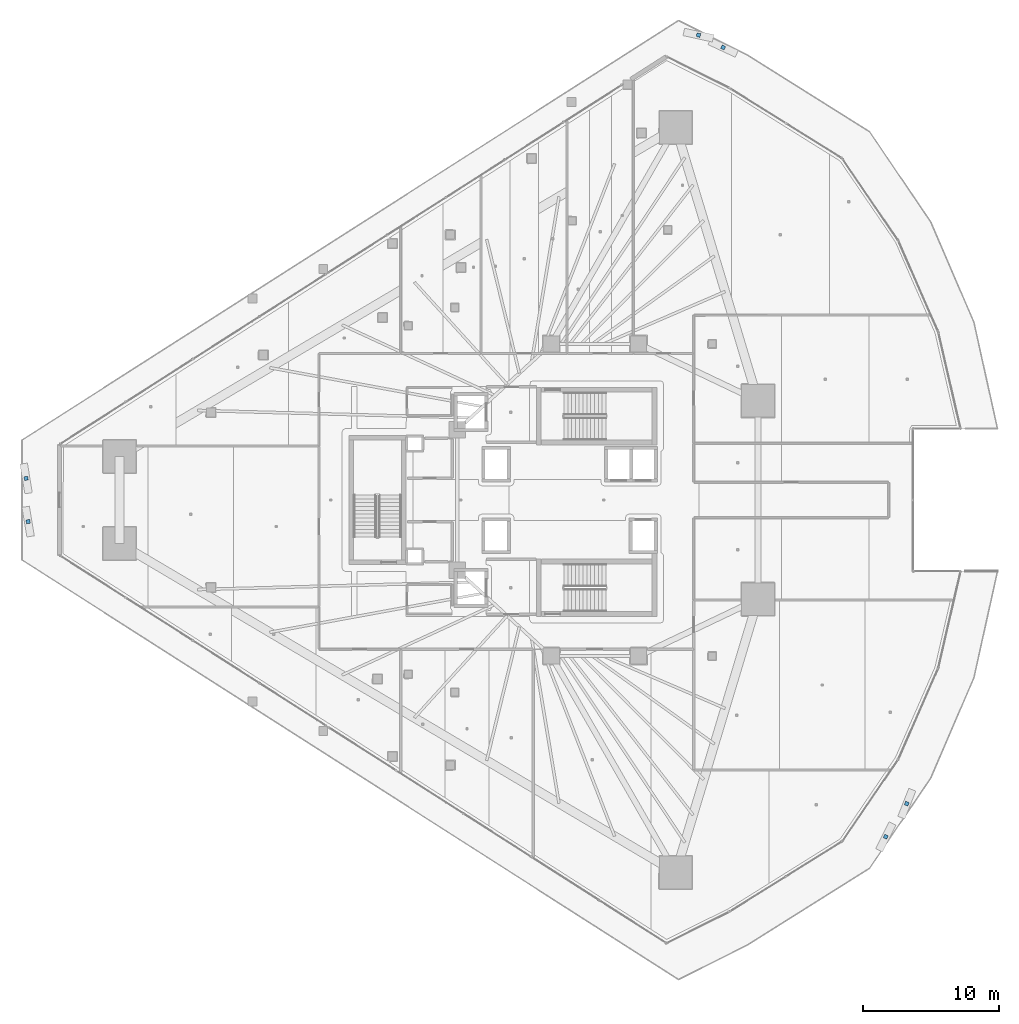
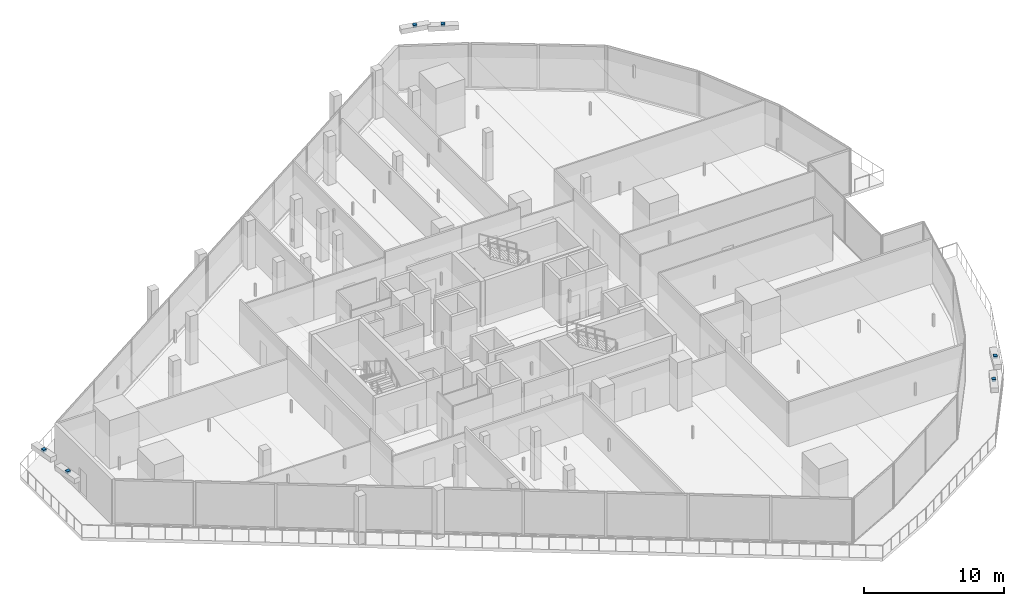
# One storey, part 36 of 45: 6 discrete accessories.
"""IFC4 building model written with IfcOpenShell, lengths in metres."""

from ifc_helpers import new_model, si_unit, direction, frame, origin, origin_2d, place, context, subcontext, project, spatial, rectangle, extrude, material, type_object, element, save


model = new_model("IFC4")

# Units and contexts
model_context = context("Model", 3, precision=1e-05, world=origin(), true_north=direction((0.0, 1.0)))
body_context = subcontext(model_context, "Body", "Model", "MODEL_VIEW")
ifc_project = project(units=[si_unit("LENGTHUNIT", "METRE"), si_unit("AREAUNIT", "SQUARE_METRE"), si_unit("VOLUMEUNIT", "CUBIC_METRE"), si_unit("PLANEANGLEUNIT", "RADIAN"), si_unit("MASSUNIT", "GRAM", prefix="KILO")], contexts=[model_context])

# Site, building, storey
site_placement = place(None, origin())
site = spatial("IfcSite", under=ifc_project, at=site_placement, CompositionType="ELEMENT")
building_placement = place(site_placement, origin())
building = spatial("IfcBuilding", under=site, at=building_placement, Name="Qorvath Tower", CompositionType="ELEMENT")
storey_placement = place(building_placement, frame((0.0, 0.0, 66.0)))
storey = spatial("IfcBuildingStorey", under=building, at=storey_placement, Name="L14", CompositionType="ELEMENT", Elevation=66.0)

# Discrete accessories
ifc_material = material(Name="Galvanised steel bracket", Category="steel")
discrete_accessory_type = type_object("IfcDiscreteAccessoryType", Name="DA-BRACKET", PredefinedType="BRACKET", material=ifc_material)
for number, where, z_axis, x_axis, name in (
    (1, (-62.140625, 1.584228515625, 3.77978515625), (0.0, 0.0, 1.0), (0.162332347183, -0.986736139532, 0.0), "Louvre Wave Support Bracket L14-01"),
    (2, (-61.992919921875, -1.584228515625, 3.77978515625), (0.0, 0.0, 1.0), (0.16624041027, -0.986085252903, 0.0), "Louvre Wave Support Bracket L14-02"),
    (3, (0.945556640625, -24.7216796875, 3.77978515625), (0.0, 0.0, 1.0), (0.446777204878, 0.894645253271, 0.0), "Louvre Wave Support Bracket L14-03"),
    (4, (2.487060546875, -22.28515625, 3.77978515625), (0.0, 0.0, 1.0), (0.366925022668, 0.930250518807, 0.0), "Louvre Wave Support Bracket L14-04"),
    (5, (-10.989013671875, 33.207275390625, 3.77978515625), (0.0, 0.0, 1.0), (-0.906012522993, 0.423250880897, 0.0), "Louvre Wave Support Bracket L14-05"),
    (6, (-12.79931640625, 34.112548828125, 3.77978515625), (0.0, 0.0, 1.0), (-0.976707494872, 0.214575090496, 0.0), "Louvre Wave Support Bracket L14-06"),
):
    element("IfcDiscreteAccessory", number, at=place(storey_placement, frame(where, z_axis=z_axis, x_axis=x_axis)), inside=storey, type_object=discrete_accessory_type, Name=name, PredefinedType="NOTDEFINED", context=body_context, shape_type="SweptSolid", body=[
        extrude(rectangle(XDim=0.280029296875, YDim=0.280029296875, at=origin_2d()), origin(), (0.0, 0.0, 1.0), 0.199951171875),
    ])

save(model, "model.ifc")
